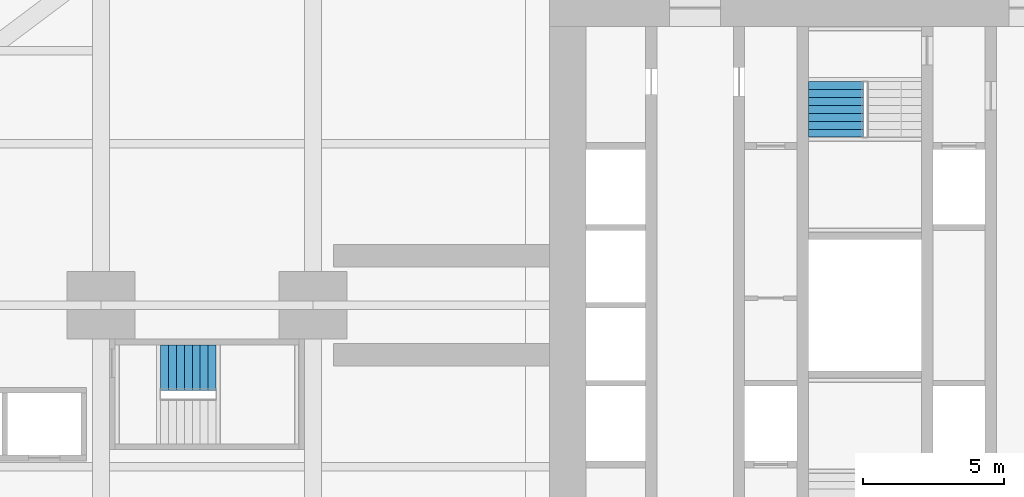
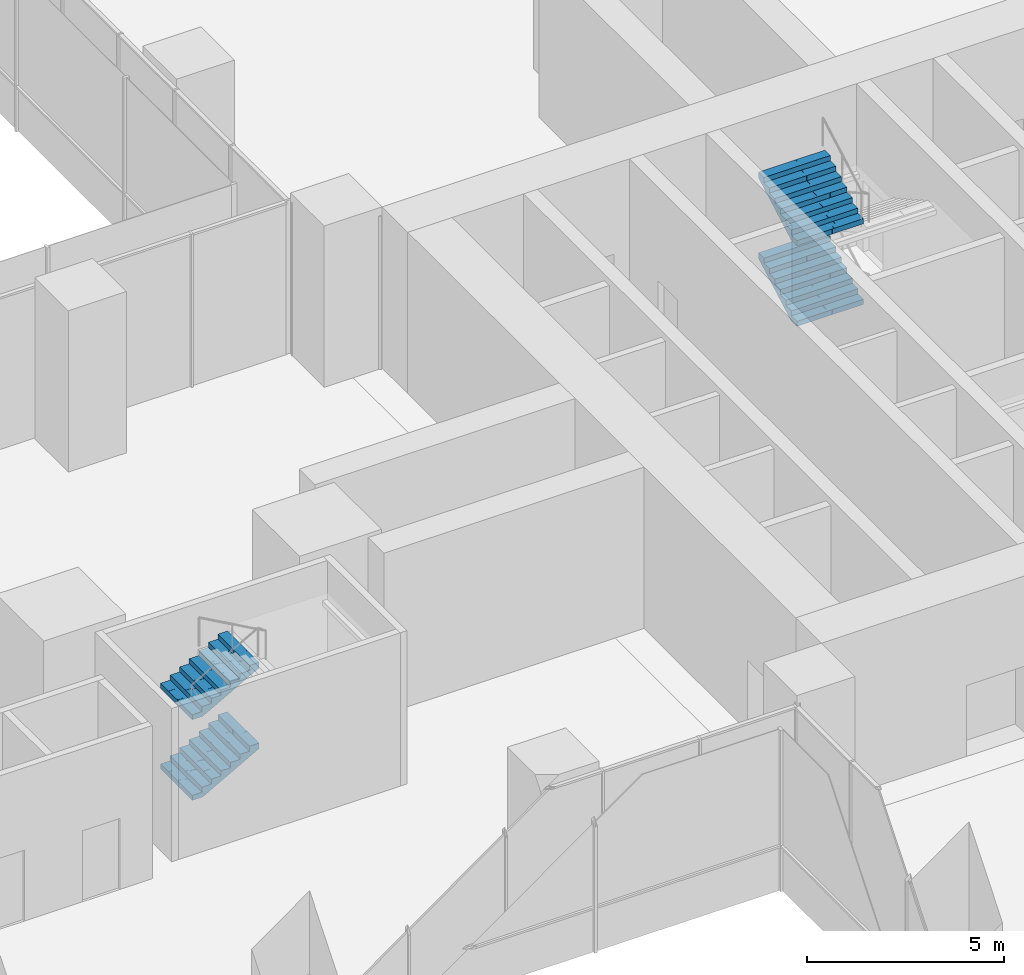
# One storey, part 20 of 23: 4 stair flights, 2 elements without a shape of their own.
"""IFC4 building model written with IfcOpenShell, lengths in metres."""

from ifc_helpers import new_model, si_unit, direction, frame, origin, place, context, subcontext, project, spatial, polyline, outline, extrude, material, type_object, element, aggregate, save


model = new_model("IFC4")

# Units and contexts
model_context = context("Model", 3, precision=1e-05, world=origin(), true_north=direction((0.0, 1.0)))
body_context = subcontext(model_context, "Body", "Model", "MODEL_VIEW")
ifc_project = project(units=[si_unit("LENGTHUNIT", "METRE"), si_unit("AREAUNIT", "SQUARE_METRE"), si_unit("VOLUMEUNIT", "CUBIC_METRE"), si_unit("PLANEANGLEUNIT", "RADIAN"), si_unit("MASSUNIT", "GRAM", prefix="KILO")], contexts=[model_context])

# Site, building, storey
site_placement = place(None, origin())
site = spatial("IfcSite", under=ifc_project, at=site_placement, CompositionType="ELEMENT")
building_placement = place(site_placement, origin())
building = spatial("IfcBuilding", under=site, at=building_placement, Name="Mizan Broadcast Tower", CompositionType="ELEMENT")
storey_placement = place(building_placement, frame((0.0, 0.0, 23.0)))
storey = spatial("IfcBuildingStorey", under=building, at=storey_placement, Name="L03", CompositionType="ELEMENT", Elevation=23.0)

# Stair, stair flights
ifc_material_1 = material(Name="Concrete C40/50", Category="concrete")
stair_type = type_object("IfcStairType", Name="EXIT STAIR", PredefinedType="HALF_TURN_STAIR", material=ifc_material_1)
stair_1_placement = place(storey_placement, origin())
stair_1 = element("IfcStair", 1, at=stair_1_placement, inside=storey, type_object=stair_type, Name="Stair B L03", PredefinedType="HALF_TURN_STAIR")
ifc_material_2 = material(Name="Concrete C40/50", Category="concrete")
stair_flight_type = type_object("IfcStairFlightType", Name="EXIT STAIR FLIGHT", PredefinedType="STRAIGHT", material=ifc_material_2)
stair_flight_1_placement = place(storey_placement, frame((-1.02490234375, 5.93994140625, 1.25), z_axis=(0.0, 0.0, 1.0), x_axis=(0.0, 1.0, 0.0)))
stair_flight_1 = element("IfcStairFlight", 2, at=stair_flight_1_placement, type_object=stair_flight_type, Name="B flight 2", NumberOfRisers=8, NumberOfTreads=7, PredefinedType="STRAIGHT", RiserHeight=0.15625, TreadLength=0.28, context=body_context, shape_type="SweptSolid", body=[
    extrude(outline(polyline([(0.0, 0.0), (0.0, 0.15625), (0.280029296875, 0.15625), (0.280029296875, 0.3125), (0.56005859375, 0.3125), (0.56005859375, 0.46875), (0.840087890625, 0.46875), (0.840087890625, 0.625), (1.1201171875, 0.625), (1.1201171875, 0.78125), (1.39990234375, 0.78125), (1.39990234375, 0.9375), (1.679931640625, 0.9375), (1.679931640625, 1.09375), (1.9599609375, 1.09375), (1.9599609375, 1.25), (1.9599609375, 0.922119140625), (0.3076171875, 0.0), (0.0, 0.0)])), frame((0.0, 0.97509765625, 0.0), z_axis=(0.0, -1.0, 0.0), x_axis=(1.0, 0.0, 0.0)), (0.0, 0.0, 1.0), 0.4873046875),
    extrude(outline(polyline([(0.0, 0.0), (0.0, 0.15625), (0.280029296875, 0.15625), (0.280029296875, 0.3125), (0.56005859375, 0.3125), (0.56005859375, 0.46875), (0.840087890625, 0.46875), (0.840087890625, 0.625), (1.1201171875, 0.625), (1.1201171875, 0.78125), (1.39990234375, 0.78125), (1.39990234375, 0.9375), (1.679931640625, 0.9375), (1.679931640625, 1.09375), (1.9599609375, 1.09375), (1.9599609375, 1.25), (1.9599609375, 0.922119140625), (0.3076171875, 0.0), (0.0, 0.0)])), frame((0.0, 0.4873046875, 0.0), z_axis=(0.0, -1.0, 0.0), x_axis=(1.0, 0.0, 0.0)), (0.0, 0.0, 1.0), 0.2431640625),
    extrude(outline(polyline([(0.0, 0.0), (0.0, 0.15625), (0.280029296875, 0.15625), (0.280029296875, 0.3125), (0.56005859375, 0.3125), (0.56005859375, 0.46875), (0.840087890625, 0.46875), (0.840087890625, 0.625), (1.1201171875, 0.625), (1.1201171875, 0.78125), (1.39990234375, 0.78125), (1.39990234375, 0.9375), (1.679931640625, 0.9375), (1.679931640625, 1.09375), (1.9599609375, 1.09375), (1.9599609375, 1.25), (1.9599609375, 0.922119140625), (0.3076171875, 0.0), (0.0, 0.0)])), frame((0.0, 0.24365234375, 0.0), z_axis=(0.0, -1.0, 0.0), x_axis=(1.0, 0.0, 0.0)), (0.0, 0.0, 1.0), 0.121337890625),
    extrude(outline(polyline([(0.0, 0.0), (0.0, 0.15625), (0.280029296875, 0.15625), (0.280029296875, 0.3125), (0.56005859375, 0.3125), (0.56005859375, 0.46875), (0.840087890625, 0.46875), (0.840087890625, 0.625), (1.1201171875, 0.625), (1.1201171875, 0.78125), (1.39990234375, 0.78125), (1.39990234375, 0.9375), (1.679931640625, 0.9375), (1.679931640625, 1.09375), (1.9599609375, 1.09375), (1.9599609375, 1.25), (1.9599609375, 0.922119140625), (0.3076171875, 0.0), (0.0, 0.0)])), frame((0.0, 0.121826171875, 0.0), z_axis=(0.0, -1.0, 0.0), x_axis=(1.0, 0.0, 0.0)), (0.0, 0.0, 1.0), 0.060546875),
    extrude(outline(polyline([(0.0, 0.0), (0.0, 0.15625), (0.280029296875, 0.15625), (0.280029296875, 0.3125), (0.56005859375, 0.3125), (0.56005859375, 0.46875), (0.840087890625, 0.46875), (0.840087890625, 0.625), (1.1201171875, 0.625), (1.1201171875, 0.78125), (1.39990234375, 0.78125), (1.39990234375, 0.9375), (1.679931640625, 0.9375), (1.679931640625, 1.09375), (1.9599609375, 1.09375), (1.9599609375, 1.25), (1.9599609375, 0.922119140625), (0.3076171875, 0.0), (0.0, 0.0)])), frame((0.0, 0.060791015625, 0.0), z_axis=(0.0, -1.0, 0.0), x_axis=(1.0, 0.0, 0.0)), (0.0, 0.0, 1.0), 0.030029296875),
    extrude(outline(polyline([(0.0, 0.0), (0.0, 0.15625), (0.280029296875, 0.15625), (0.280029296875, 0.3125), (0.56005859375, 0.3125), (0.56005859375, 0.46875), (0.840087890625, 0.46875), (0.840087890625, 0.625), (1.1201171875, 0.625), (1.1201171875, 0.78125), (1.39990234375, 0.78125), (1.39990234375, 0.9375), (1.679931640625, 0.9375), (1.679931640625, 1.09375), (1.9599609375, 1.09375), (1.9599609375, 1.25), (1.9599609375, 0.922119140625), (0.3076171875, 0.0), (0.0, 0.0)])), frame((0.0, 0.0302734375, 0.0), z_axis=(0.0, -1.0, 0.0), x_axis=(1.0, 0.0, 0.0)), (0.0, 0.0, 1.0), 0.060302734375),
    extrude(outline(polyline([(0.0, 0.0), (0.0, 0.15625), (0.280029296875, 0.15625), (0.280029296875, 0.3125), (0.56005859375, 0.3125), (0.56005859375, 0.46875), (0.840087890625, 0.46875), (0.840087890625, 0.625), (1.1201171875, 0.625), (1.1201171875, 0.78125), (1.39990234375, 0.78125), (1.39990234375, 0.9375), (1.679931640625, 0.9375), (1.679931640625, 1.09375), (1.9599609375, 1.09375), (1.9599609375, 1.25), (1.9599609375, 0.922119140625), (0.3076171875, 0.0), (0.0, 0.0)])), frame((0.0, -0.030517578125, 0.0), z_axis=(0.0, -1.0, 0.0), x_axis=(1.0, 0.0, 0.0)), (0.0, 0.0, 1.0), 0.030029296875),
    extrude(outline(polyline([(0.0, 0.0), (0.0, 0.15625), (0.280029296875, 0.15625), (0.280029296875, 0.3125), (0.56005859375, 0.3125), (0.56005859375, 0.46875), (0.840087890625, 0.46875), (0.840087890625, 0.625), (1.1201171875, 0.625), (1.1201171875, 0.78125), (1.39990234375, 0.78125), (1.39990234375, 0.9375), (1.679931640625, 0.9375), (1.679931640625, 1.09375), (1.9599609375, 1.09375), (1.9599609375, 1.25), (1.9599609375, 0.922119140625), (0.3076171875, 0.0), (0.0, 0.0)])), frame((0.0, -0.06103515625, 0.0), z_axis=(0.0, -1.0, 0.0), x_axis=(1.0, 0.0, 0.0)), (0.0, 0.0, 1.0), 0.060546875),
    extrude(outline(polyline([(0.0, 0.0), (0.0, 0.15625), (0.280029296875, 0.15625), (0.280029296875, 0.3125), (0.56005859375, 0.3125), (0.56005859375, 0.46875), (0.840087890625, 0.46875), (0.840087890625, 0.625), (1.1201171875, 0.625), (1.1201171875, 0.78125), (1.39990234375, 0.78125), (1.39990234375, 0.9375), (1.679931640625, 0.9375), (1.679931640625, 1.09375), (1.9599609375, 1.09375), (1.9599609375, 1.25), (1.9599609375, 0.922119140625), (0.3076171875, 0.0), (0.0, 0.0)])), frame((0.0, -0.1220703125, 0.0), z_axis=(0.0, -1.0, 0.0), x_axis=(1.0, 0.0, 0.0)), (0.0, 0.0, 1.0), 0.121337890625),
    extrude(outline(polyline([(0.0, 0.0), (0.0, 0.15625), (0.280029296875, 0.15625), (0.280029296875, 0.3125), (0.56005859375, 0.3125), (0.56005859375, 0.46875), (0.840087890625, 0.46875), (0.840087890625, 0.625), (1.1201171875, 0.625), (1.1201171875, 0.78125), (1.39990234375, 0.78125), (1.39990234375, 0.9375), (1.679931640625, 0.9375), (1.679931640625, 1.09375), (1.9599609375, 1.09375), (1.9599609375, 1.25), (1.9599609375, 0.922119140625), (0.3076171875, 0.0), (0.0, 0.0)])), frame((0.0, -0.243896484375, 0.0), z_axis=(0.0, -1.0, 0.0), x_axis=(1.0, 0.0, 0.0)), (0.0, 0.0, 1.0), 0.2431640625),
    extrude(outline(polyline([(0.0, 0.0), (0.0, 0.15625), (0.280029296875, 0.15625), (0.280029296875, 0.3125), (0.56005859375, 0.3125), (0.56005859375, 0.46875), (0.840087890625, 0.46875), (0.840087890625, 0.625), (1.1201171875, 0.625), (1.1201171875, 0.78125), (1.39990234375, 0.78125), (1.39990234375, 0.9375), (1.679931640625, 0.9375), (1.679931640625, 1.09375), (1.9599609375, 1.09375), (1.9599609375, 1.25), (1.9599609375, 0.922119140625), (0.3076171875, 0.0), (0.0, 0.0)])), frame((0.0, -0.487548828125, 0.0), z_axis=(0.0, -1.0, 0.0), x_axis=(1.0, 0.0, 0.0)), (0.0, 0.0, 1.0), 0.4873046875),
])
stair_flight_2_placement = place(storey_placement, frame((-1.02490234375, 5.93994140625, 3.75), z_axis=(0.0, 0.0, 1.0), x_axis=(0.0, 1.0, 0.0)))
stair_flight_2 = element("IfcStairFlight", 3, at=stair_flight_2_placement, type_object=stair_flight_type, Name="B flight 4", NumberOfRisers=8, NumberOfTreads=7, PredefinedType="STRAIGHT", RiserHeight=0.15625, TreadLength=0.28, context=body_context, shape_type="SweptSolid", body=[
    extrude(outline(polyline([(0.0, 0.0), (0.0, 0.15625), (0.280029296875, 0.15625), (0.280029296875, 0.3125), (0.56005859375, 0.3125), (0.56005859375, 0.46875), (0.840087890625, 0.46875), (0.840087890625, 0.625), (1.1201171875, 0.625), (1.1201171875, 0.78125), (1.39990234375, 0.78125), (1.39990234375, 0.9375), (1.679931640625, 0.9375), (1.679931640625, 1.09375), (1.9599609375, 1.09375), (1.9599609375, 1.25), (1.9599609375, 0.922119140625), (0.3076171875, 0.0), (0.0, 0.0)])), frame((0.0, 0.97509765625, 0.0), z_axis=(0.0, -1.0, 0.0), x_axis=(1.0, 0.0, 0.0)), (0.0, 0.0, 1.0), 0.4873046875),
    extrude(outline(polyline([(0.0, 0.0), (0.0, 0.15625), (0.280029296875, 0.15625), (0.280029296875, 0.3125), (0.56005859375, 0.3125), (0.56005859375, 0.46875), (0.840087890625, 0.46875), (0.840087890625, 0.625), (1.1201171875, 0.625), (1.1201171875, 0.78125), (1.39990234375, 0.78125), (1.39990234375, 0.9375), (1.679931640625, 0.9375), (1.679931640625, 1.09375), (1.9599609375, 1.09375), (1.9599609375, 1.25), (1.9599609375, 0.922119140625), (0.3076171875, 0.0), (0.0, 0.0)])), frame((0.0, 0.4873046875, 0.0), z_axis=(0.0, -1.0, 0.0), x_axis=(1.0, 0.0, 0.0)), (0.0, 0.0, 1.0), 0.2431640625),
    extrude(outline(polyline([(0.0, 0.0), (0.0, 0.15625), (0.280029296875, 0.15625), (0.280029296875, 0.3125), (0.56005859375, 0.3125), (0.56005859375, 0.46875), (0.840087890625, 0.46875), (0.840087890625, 0.625), (1.1201171875, 0.625), (1.1201171875, 0.78125), (1.39990234375, 0.78125), (1.39990234375, 0.9375), (1.679931640625, 0.9375), (1.679931640625, 1.09375), (1.9599609375, 1.09375), (1.9599609375, 1.25), (1.9599609375, 0.922119140625), (0.3076171875, 0.0), (0.0, 0.0)])), frame((0.0, 0.24365234375, 0.0), z_axis=(0.0, -1.0, 0.0), x_axis=(1.0, 0.0, 0.0)), (0.0, 0.0, 1.0), 0.121337890625),
    extrude(outline(polyline([(0.0, 0.0), (0.0, 0.15625), (0.280029296875, 0.15625), (0.280029296875, 0.3125), (0.56005859375, 0.3125), (0.56005859375, 0.46875), (0.840087890625, 0.46875), (0.840087890625, 0.625), (1.1201171875, 0.625), (1.1201171875, 0.78125), (1.39990234375, 0.78125), (1.39990234375, 0.9375), (1.679931640625, 0.9375), (1.679931640625, 1.09375), (1.9599609375, 1.09375), (1.9599609375, 1.25), (1.9599609375, 0.922119140625), (0.3076171875, 0.0), (0.0, 0.0)])), frame((0.0, 0.121826171875, 0.0), z_axis=(0.0, -1.0, 0.0), x_axis=(1.0, 0.0, 0.0)), (0.0, 0.0, 1.0), 0.060546875),
    extrude(outline(polyline([(0.0, 0.0), (0.0, 0.15625), (0.280029296875, 0.15625), (0.280029296875, 0.3125), (0.56005859375, 0.3125), (0.56005859375, 0.46875), (0.840087890625, 0.46875), (0.840087890625, 0.625), (1.1201171875, 0.625), (1.1201171875, 0.78125), (1.39990234375, 0.78125), (1.39990234375, 0.9375), (1.679931640625, 0.9375), (1.679931640625, 1.09375), (1.9599609375, 1.09375), (1.9599609375, 1.25), (1.9599609375, 0.922119140625), (0.3076171875, 0.0), (0.0, 0.0)])), frame((0.0, 0.060791015625, 0.0), z_axis=(0.0, -1.0, 0.0), x_axis=(1.0, 0.0, 0.0)), (0.0, 0.0, 1.0), 0.030029296875),
    extrude(outline(polyline([(0.0, 0.0), (0.0, 0.15625), (0.280029296875, 0.15625), (0.280029296875, 0.3125), (0.56005859375, 0.3125), (0.56005859375, 0.46875), (0.840087890625, 0.46875), (0.840087890625, 0.625), (1.1201171875, 0.625), (1.1201171875, 0.78125), (1.39990234375, 0.78125), (1.39990234375, 0.9375), (1.679931640625, 0.9375), (1.679931640625, 1.09375), (1.9599609375, 1.09375), (1.9599609375, 1.25), (1.9599609375, 0.922119140625), (0.3076171875, 0.0), (0.0, 0.0)])), frame((0.0, 0.0302734375, 0.0), z_axis=(0.0, -1.0, 0.0), x_axis=(1.0, 0.0, 0.0)), (0.0, 0.0, 1.0), 0.060302734375),
    extrude(outline(polyline([(0.0, 0.0), (0.0, 0.15625), (0.280029296875, 0.15625), (0.280029296875, 0.3125), (0.56005859375, 0.3125), (0.56005859375, 0.46875), (0.840087890625, 0.46875), (0.840087890625, 0.625), (1.1201171875, 0.625), (1.1201171875, 0.78125), (1.39990234375, 0.78125), (1.39990234375, 0.9375), (1.679931640625, 0.9375), (1.679931640625, 1.09375), (1.9599609375, 1.09375), (1.9599609375, 1.25), (1.9599609375, 0.922119140625), (0.3076171875, 0.0), (0.0, 0.0)])), frame((0.0, -0.030517578125, 0.0), z_axis=(0.0, -1.0, 0.0), x_axis=(1.0, 0.0, 0.0)), (0.0, 0.0, 1.0), 0.030029296875),
    extrude(outline(polyline([(0.0, 0.0), (0.0, 0.15625), (0.280029296875, 0.15625), (0.280029296875, 0.3125), (0.56005859375, 0.3125), (0.56005859375, 0.46875), (0.840087890625, 0.46875), (0.840087890625, 0.625), (1.1201171875, 0.625), (1.1201171875, 0.78125), (1.39990234375, 0.78125), (1.39990234375, 0.9375), (1.679931640625, 0.9375), (1.679931640625, 1.09375), (1.9599609375, 1.09375), (1.9599609375, 1.25), (1.9599609375, 0.922119140625), (0.3076171875, 0.0), (0.0, 0.0)])), frame((0.0, -0.06103515625, 0.0), z_axis=(0.0, -1.0, 0.0), x_axis=(1.0, 0.0, 0.0)), (0.0, 0.0, 1.0), 0.060546875),
    extrude(outline(polyline([(0.0, 0.0), (0.0, 0.15625), (0.280029296875, 0.15625), (0.280029296875, 0.3125), (0.56005859375, 0.3125), (0.56005859375, 0.46875), (0.840087890625, 0.46875), (0.840087890625, 0.625), (1.1201171875, 0.625), (1.1201171875, 0.78125), (1.39990234375, 0.78125), (1.39990234375, 0.9375), (1.679931640625, 0.9375), (1.679931640625, 1.09375), (1.9599609375, 1.09375), (1.9599609375, 1.25), (1.9599609375, 0.922119140625), (0.3076171875, 0.0), (0.0, 0.0)])), frame((0.0, -0.1220703125, 0.0), z_axis=(0.0, -1.0, 0.0), x_axis=(1.0, 0.0, 0.0)), (0.0, 0.0, 1.0), 0.121337890625),
    extrude(outline(polyline([(0.0, 0.0), (0.0, 0.15625), (0.280029296875, 0.15625), (0.280029296875, 0.3125), (0.56005859375, 0.3125), (0.56005859375, 0.46875), (0.840087890625, 0.46875), (0.840087890625, 0.625), (1.1201171875, 0.625), (1.1201171875, 0.78125), (1.39990234375, 0.78125), (1.39990234375, 0.9375), (1.679931640625, 0.9375), (1.679931640625, 1.09375), (1.9599609375, 1.09375), (1.9599609375, 1.25), (1.9599609375, 0.922119140625), (0.3076171875, 0.0), (0.0, 0.0)])), frame((0.0, -0.243896484375, 0.0), z_axis=(0.0, -1.0, 0.0), x_axis=(1.0, 0.0, 0.0)), (0.0, 0.0, 1.0), 0.2431640625),
    extrude(outline(polyline([(0.0, 0.0), (0.0, 0.15625), (0.280029296875, 0.15625), (0.280029296875, 0.3125), (0.56005859375, 0.3125), (0.56005859375, 0.46875), (0.840087890625, 0.46875), (0.840087890625, 0.625), (1.1201171875, 0.625), (1.1201171875, 0.78125), (1.39990234375, 0.78125), (1.39990234375, 0.9375), (1.679931640625, 0.9375), (1.679931640625, 1.09375), (1.9599609375, 1.09375), (1.9599609375, 1.25), (1.9599609375, 0.922119140625), (0.3076171875, 0.0), (0.0, 0.0)])), frame((0.0, -0.487548828125, 0.0), z_axis=(0.0, -1.0, 0.0), x_axis=(1.0, 0.0, 0.0)), (0.0, 0.0, 1.0), 0.4873046875),
])
aggregate(stair_1, [stair_flight_1, stair_flight_2])

stair_2_placement = place(storey_placement, origin())
stair_2 = element("IfcStair", 4, at=stair_2_placement, inside=storey, type_object=stair_type, Name="Stair D L03", PredefinedType="HALF_TURN_STAIR")
stair_flight_3_placement = place(storey_placement, frame((-24.889892578125, -2.205078125, 0.0), z_axis=(0.0, 0.0, 1.0), x_axis=(1.0, 0.0, 0.0)))
stair_flight_3 = element("IfcStairFlight", 5, at=stair_flight_3_placement, type_object=stair_flight_type, Name="D flight 1", NumberOfRisers=8, NumberOfTreads=7, PredefinedType="STRAIGHT", RiserHeight=0.15625, TreadLength=0.28, context=body_context, shape_type="SweptSolid", body=[
    extrude(outline(polyline([(0.0, 0.0), (0.0, 0.15625), (0.280029296875, 0.15625), (0.280029296875, 0.3125), (0.56005859375, 0.3125), (0.56005859375, 0.46875), (0.840087890625, 0.46875), (0.840087890625, 0.625), (1.1201171875, 0.625), (1.1201171875, 0.78125), (1.39990234375, 0.78125), (1.39990234375, 0.9375), (1.679931640625, 0.9375), (1.679931640625, 1.09375), (1.9599609375, 1.09375), (1.9599609375, 1.25), (1.9599609375, 0.922119140625), (0.3076171875, 0.0), (0.0, 0.0)])), frame((0.0, 0.80517578125, 0.0), z_axis=(0.0, -1.0, 0.0), x_axis=(1.0, 0.0, 0.0)), (0.0, 0.0, 1.0), 0.40234375),
    extrude(outline(polyline([(0.0, 0.0), (0.0, 0.15625), (0.280029296875, 0.15625), (0.280029296875, 0.3125), (0.56005859375, 0.3125), (0.56005859375, 0.46875), (0.840087890625, 0.46875), (0.840087890625, 0.625), (1.1201171875, 0.625), (1.1201171875, 0.78125), (1.39990234375, 0.78125), (1.39990234375, 0.9375), (1.679931640625, 0.9375), (1.679931640625, 1.09375), (1.9599609375, 1.09375), (1.9599609375, 1.25), (1.9599609375, 0.922119140625), (0.3076171875, 0.0), (0.0, 0.0)])), frame((0.0, 0.40234375, 0.0), z_axis=(0.0, -1.0, 0.0), x_axis=(1.0, 0.0, 0.0)), (0.0, 0.0, 1.0), 0.20068359375),
    extrude(outline(polyline([(0.0, 0.0), (0.0, 0.15625), (0.280029296875, 0.15625), (0.280029296875, 0.3125), (0.56005859375, 0.3125), (0.56005859375, 0.46875), (0.840087890625, 0.46875), (0.840087890625, 0.625), (1.1201171875, 0.625), (1.1201171875, 0.78125), (1.39990234375, 0.78125), (1.39990234375, 0.9375), (1.679931640625, 0.9375), (1.679931640625, 1.09375), (1.9599609375, 1.09375), (1.9599609375, 1.25), (1.9599609375, 0.922119140625), (0.3076171875, 0.0), (0.0, 0.0)])), frame((0.0, 0.201171875, 0.0), z_axis=(0.0, -1.0, 0.0), x_axis=(1.0, 0.0, 0.0)), (0.0, 0.0, 1.0), 0.10009765625),
    extrude(outline(polyline([(0.0, 0.0), (0.0, 0.15625), (0.280029296875, 0.15625), (0.280029296875, 0.3125), (0.56005859375, 0.3125), (0.56005859375, 0.46875), (0.840087890625, 0.46875), (0.840087890625, 0.625), (1.1201171875, 0.625), (1.1201171875, 0.78125), (1.39990234375, 0.78125), (1.39990234375, 0.9375), (1.679931640625, 0.9375), (1.679931640625, 1.09375), (1.9599609375, 1.09375), (1.9599609375, 1.25), (1.9599609375, 0.922119140625), (0.3076171875, 0.0), (0.0, 0.0)])), frame((0.0, 0.1005859375, 0.0), z_axis=(0.0, -1.0, 0.0), x_axis=(1.0, 0.0, 0.0)), (0.0, 0.0, 1.0), 0.0498046875),
    extrude(outline(polyline([(0.0, 0.0), (0.0, 0.15625), (0.280029296875, 0.15625), (0.280029296875, 0.3125), (0.56005859375, 0.3125), (0.56005859375, 0.46875), (0.840087890625, 0.46875), (0.840087890625, 0.625), (1.1201171875, 0.625), (1.1201171875, 0.78125), (1.39990234375, 0.78125), (1.39990234375, 0.9375), (1.679931640625, 0.9375), (1.679931640625, 1.09375), (1.9599609375, 1.09375), (1.9599609375, 1.25), (1.9599609375, 0.922119140625), (0.3076171875, 0.0), (0.0, 0.0)])), frame((0.0, 0.05029296875, 0.0), z_axis=(0.0, -1.0, 0.0), x_axis=(1.0, 0.0, 0.0)), (0.0, 0.0, 1.0), 0.024658203125),
    extrude(outline(polyline([(0.0, 0.0), (0.0, 0.15625), (0.280029296875, 0.15625), (0.280029296875, 0.3125), (0.56005859375, 0.3125), (0.56005859375, 0.46875), (0.840087890625, 0.46875), (0.840087890625, 0.625), (1.1201171875, 0.625), (1.1201171875, 0.78125), (1.39990234375, 0.78125), (1.39990234375, 0.9375), (1.679931640625, 0.9375), (1.679931640625, 1.09375), (1.9599609375, 1.09375), (1.9599609375, 1.25), (1.9599609375, 0.922119140625), (0.3076171875, 0.0), (0.0, 0.0)])), frame((0.0, 0.025146484375, 0.0), z_axis=(0.0, -1.0, 0.0), x_axis=(1.0, 0.0, 0.0)), (0.0, 0.0, 1.0), 0.050048828125),
    extrude(outline(polyline([(0.0, 0.0), (0.0, 0.15625), (0.280029296875, 0.15625), (0.280029296875, 0.3125), (0.56005859375, 0.3125), (0.56005859375, 0.46875), (0.840087890625, 0.46875), (0.840087890625, 0.625), (1.1201171875, 0.625), (1.1201171875, 0.78125), (1.39990234375, 0.78125), (1.39990234375, 0.9375), (1.679931640625, 0.9375), (1.679931640625, 1.09375), (1.9599609375, 1.09375), (1.9599609375, 1.25), (1.9599609375, 0.922119140625), (0.3076171875, 0.0), (0.0, 0.0)])), frame((0.0, -0.025390625, 0.0), z_axis=(0.0, -1.0, 0.0), x_axis=(1.0, 0.0, 0.0)), (0.0, 0.0, 1.0), 0.024658203125),
    extrude(outline(polyline([(0.0, 0.0), (0.0, 0.15625), (0.280029296875, 0.15625), (0.280029296875, 0.3125), (0.56005859375, 0.3125), (0.56005859375, 0.46875), (0.840087890625, 0.46875), (0.840087890625, 0.625), (1.1201171875, 0.625), (1.1201171875, 0.78125), (1.39990234375, 0.78125), (1.39990234375, 0.9375), (1.679931640625, 0.9375), (1.679931640625, 1.09375), (1.9599609375, 1.09375), (1.9599609375, 1.25), (1.9599609375, 0.922119140625), (0.3076171875, 0.0), (0.0, 0.0)])), frame((0.0, -0.050537109375, 0.0), z_axis=(0.0, -1.0, 0.0), x_axis=(1.0, 0.0, 0.0)), (0.0, 0.0, 1.0), 0.0498046875),
    extrude(outline(polyline([(0.0, 0.0), (0.0, 0.15625), (0.280029296875, 0.15625), (0.280029296875, 0.3125), (0.56005859375, 0.3125), (0.56005859375, 0.46875), (0.840087890625, 0.46875), (0.840087890625, 0.625), (1.1201171875, 0.625), (1.1201171875, 0.78125), (1.39990234375, 0.78125), (1.39990234375, 0.9375), (1.679931640625, 0.9375), (1.679931640625, 1.09375), (1.9599609375, 1.09375), (1.9599609375, 1.25), (1.9599609375, 0.922119140625), (0.3076171875, 0.0), (0.0, 0.0)])), frame((0.0, -0.100830078125, 0.0), z_axis=(0.0, -1.0, 0.0), x_axis=(1.0, 0.0, 0.0)), (0.0, 0.0, 1.0), 0.10009765625),
    extrude(outline(polyline([(0.0, 0.0), (0.0, 0.15625), (0.280029296875, 0.15625), (0.280029296875, 0.3125), (0.56005859375, 0.3125), (0.56005859375, 0.46875), (0.840087890625, 0.46875), (0.840087890625, 0.625), (1.1201171875, 0.625), (1.1201171875, 0.78125), (1.39990234375, 0.78125), (1.39990234375, 0.9375), (1.679931640625, 0.9375), (1.679931640625, 1.09375), (1.9599609375, 1.09375), (1.9599609375, 1.25), (1.9599609375, 0.922119140625), (0.3076171875, 0.0), (0.0, 0.0)])), frame((0.0, -0.201416015625, 0.0), z_axis=(0.0, -1.0, 0.0), x_axis=(1.0, 0.0, 0.0)), (0.0, 0.0, 1.0), 0.20068359375),
    extrude(outline(polyline([(0.0, 0.0), (0.0, 0.15625), (0.280029296875, 0.15625), (0.280029296875, 0.3125), (0.56005859375, 0.3125), (0.56005859375, 0.46875), (0.840087890625, 0.46875), (0.840087890625, 0.625), (1.1201171875, 0.625), (1.1201171875, 0.78125), (1.39990234375, 0.78125), (1.39990234375, 0.9375), (1.679931640625, 0.9375), (1.679931640625, 1.09375), (1.9599609375, 1.09375), (1.9599609375, 1.25), (1.9599609375, 0.922119140625), (0.3076171875, 0.0), (0.0, 0.0)])), frame((0.0, -0.402587890625, 0.0), z_axis=(0.0, -1.0, 0.0), x_axis=(1.0, 0.0, 0.0)), (0.0, 0.0, 1.0), 0.40234375),
])
stair_flight_4_placement = place(storey_placement, frame((-24.889892578125, -2.205078125, 2.5), z_axis=(0.0, 0.0, 1.0), x_axis=(1.0, 0.0, 0.0)))
stair_flight_4 = element("IfcStairFlight", 6, at=stair_flight_4_placement, type_object=stair_flight_type, Name="D flight 3", NumberOfRisers=8, NumberOfTreads=7, PredefinedType="STRAIGHT", RiserHeight=0.15625, TreadLength=0.28, context=body_context, shape_type="SweptSolid", body=[
    extrude(outline(polyline([(0.0, 0.0), (0.0, 0.15625), (0.280029296875, 0.15625), (0.280029296875, 0.3125), (0.56005859375, 0.3125), (0.56005859375, 0.46875), (0.840087890625, 0.46875), (0.840087890625, 0.625), (1.1201171875, 0.625), (1.1201171875, 0.78125), (1.39990234375, 0.78125), (1.39990234375, 0.9375), (1.679931640625, 0.9375), (1.679931640625, 1.09375), (1.9599609375, 1.09375), (1.9599609375, 1.25), (1.9599609375, 0.922119140625), (0.3076171875, 0.0), (0.0, 0.0)])), frame((0.0, 0.80517578125, 0.0), z_axis=(0.0, -1.0, 0.0), x_axis=(1.0, 0.0, 0.0)), (0.0, 0.0, 1.0), 0.40234375),
    extrude(outline(polyline([(0.0, 0.0), (0.0, 0.15625), (0.280029296875, 0.15625), (0.280029296875, 0.3125), (0.56005859375, 0.3125), (0.56005859375, 0.46875), (0.840087890625, 0.46875), (0.840087890625, 0.625), (1.1201171875, 0.625), (1.1201171875, 0.78125), (1.39990234375, 0.78125), (1.39990234375, 0.9375), (1.679931640625, 0.9375), (1.679931640625, 1.09375), (1.9599609375, 1.09375), (1.9599609375, 1.25), (1.9599609375, 0.922119140625), (0.3076171875, 0.0), (0.0, 0.0)])), frame((0.0, 0.40234375, 0.0), z_axis=(0.0, -1.0, 0.0), x_axis=(1.0, 0.0, 0.0)), (0.0, 0.0, 1.0), 0.20068359375),
    extrude(outline(polyline([(0.0, 0.0), (0.0, 0.15625), (0.280029296875, 0.15625), (0.280029296875, 0.3125), (0.56005859375, 0.3125), (0.56005859375, 0.46875), (0.840087890625, 0.46875), (0.840087890625, 0.625), (1.1201171875, 0.625), (1.1201171875, 0.78125), (1.39990234375, 0.78125), (1.39990234375, 0.9375), (1.679931640625, 0.9375), (1.679931640625, 1.09375), (1.9599609375, 1.09375), (1.9599609375, 1.25), (1.9599609375, 0.922119140625), (0.3076171875, 0.0), (0.0, 0.0)])), frame((0.0, 0.201171875, 0.0), z_axis=(0.0, -1.0, 0.0), x_axis=(1.0, 0.0, 0.0)), (0.0, 0.0, 1.0), 0.10009765625),
    extrude(outline(polyline([(0.0, 0.0), (0.0, 0.15625), (0.280029296875, 0.15625), (0.280029296875, 0.3125), (0.56005859375, 0.3125), (0.56005859375, 0.46875), (0.840087890625, 0.46875), (0.840087890625, 0.625), (1.1201171875, 0.625), (1.1201171875, 0.78125), (1.39990234375, 0.78125), (1.39990234375, 0.9375), (1.679931640625, 0.9375), (1.679931640625, 1.09375), (1.9599609375, 1.09375), (1.9599609375, 1.25), (1.9599609375, 0.922119140625), (0.3076171875, 0.0), (0.0, 0.0)])), frame((0.0, 0.1005859375, 0.0), z_axis=(0.0, -1.0, 0.0), x_axis=(1.0, 0.0, 0.0)), (0.0, 0.0, 1.0), 0.0498046875),
    extrude(outline(polyline([(0.0, 0.0), (0.0, 0.15625), (0.280029296875, 0.15625), (0.280029296875, 0.3125), (0.56005859375, 0.3125), (0.56005859375, 0.46875), (0.840087890625, 0.46875), (0.840087890625, 0.625), (1.1201171875, 0.625), (1.1201171875, 0.78125), (1.39990234375, 0.78125), (1.39990234375, 0.9375), (1.679931640625, 0.9375), (1.679931640625, 1.09375), (1.9599609375, 1.09375), (1.9599609375, 1.25), (1.9599609375, 0.922119140625), (0.3076171875, 0.0), (0.0, 0.0)])), frame((0.0, 0.05029296875, 0.0), z_axis=(0.0, -1.0, 0.0), x_axis=(1.0, 0.0, 0.0)), (0.0, 0.0, 1.0), 0.024658203125),
    extrude(outline(polyline([(0.0, 0.0), (0.0, 0.15625), (0.280029296875, 0.15625), (0.280029296875, 0.3125), (0.56005859375, 0.3125), (0.56005859375, 0.46875), (0.840087890625, 0.46875), (0.840087890625, 0.625), (1.1201171875, 0.625), (1.1201171875, 0.78125), (1.39990234375, 0.78125), (1.39990234375, 0.9375), (1.679931640625, 0.9375), (1.679931640625, 1.09375), (1.9599609375, 1.09375), (1.9599609375, 1.25), (1.9599609375, 0.922119140625), (0.3076171875, 0.0), (0.0, 0.0)])), frame((0.0, 0.025146484375, 0.0), z_axis=(0.0, -1.0, 0.0), x_axis=(1.0, 0.0, 0.0)), (0.0, 0.0, 1.0), 0.050048828125),
    extrude(outline(polyline([(0.0, 0.0), (0.0, 0.15625), (0.280029296875, 0.15625), (0.280029296875, 0.3125), (0.56005859375, 0.3125), (0.56005859375, 0.46875), (0.840087890625, 0.46875), (0.840087890625, 0.625), (1.1201171875, 0.625), (1.1201171875, 0.78125), (1.39990234375, 0.78125), (1.39990234375, 0.9375), (1.679931640625, 0.9375), (1.679931640625, 1.09375), (1.9599609375, 1.09375), (1.9599609375, 1.25), (1.9599609375, 0.922119140625), (0.3076171875, 0.0), (0.0, 0.0)])), frame((0.0, -0.025390625, 0.0), z_axis=(0.0, -1.0, 0.0), x_axis=(1.0, 0.0, 0.0)), (0.0, 0.0, 1.0), 0.024658203125),
    extrude(outline(polyline([(0.0, 0.0), (0.0, 0.15625), (0.280029296875, 0.15625), (0.280029296875, 0.3125), (0.56005859375, 0.3125), (0.56005859375, 0.46875), (0.840087890625, 0.46875), (0.840087890625, 0.625), (1.1201171875, 0.625), (1.1201171875, 0.78125), (1.39990234375, 0.78125), (1.39990234375, 0.9375), (1.679931640625, 0.9375), (1.679931640625, 1.09375), (1.9599609375, 1.09375), (1.9599609375, 1.25), (1.9599609375, 0.922119140625), (0.3076171875, 0.0), (0.0, 0.0)])), frame((0.0, -0.050537109375, 0.0), z_axis=(0.0, -1.0, 0.0), x_axis=(1.0, 0.0, 0.0)), (0.0, 0.0, 1.0), 0.0498046875),
    extrude(outline(polyline([(0.0, 0.0), (0.0, 0.15625), (0.280029296875, 0.15625), (0.280029296875, 0.3125), (0.56005859375, 0.3125), (0.56005859375, 0.46875), (0.840087890625, 0.46875), (0.840087890625, 0.625), (1.1201171875, 0.625), (1.1201171875, 0.78125), (1.39990234375, 0.78125), (1.39990234375, 0.9375), (1.679931640625, 0.9375), (1.679931640625, 1.09375), (1.9599609375, 1.09375), (1.9599609375, 1.25), (1.9599609375, 0.922119140625), (0.3076171875, 0.0), (0.0, 0.0)])), frame((0.0, -0.100830078125, 0.0), z_axis=(0.0, -1.0, 0.0), x_axis=(1.0, 0.0, 0.0)), (0.0, 0.0, 1.0), 0.10009765625),
    extrude(outline(polyline([(0.0, 0.0), (0.0, 0.15625), (0.280029296875, 0.15625), (0.280029296875, 0.3125), (0.56005859375, 0.3125), (0.56005859375, 0.46875), (0.840087890625, 0.46875), (0.840087890625, 0.625), (1.1201171875, 0.625), (1.1201171875, 0.78125), (1.39990234375, 0.78125), (1.39990234375, 0.9375), (1.679931640625, 0.9375), (1.679931640625, 1.09375), (1.9599609375, 1.09375), (1.9599609375, 1.25), (1.9599609375, 0.922119140625), (0.3076171875, 0.0), (0.0, 0.0)])), frame((0.0, -0.201416015625, 0.0), z_axis=(0.0, -1.0, 0.0), x_axis=(1.0, 0.0, 0.0)), (0.0, 0.0, 1.0), 0.20068359375),
    extrude(outline(polyline([(0.0, 0.0), (0.0, 0.15625), (0.280029296875, 0.15625), (0.280029296875, 0.3125), (0.56005859375, 0.3125), (0.56005859375, 0.46875), (0.840087890625, 0.46875), (0.840087890625, 0.625), (1.1201171875, 0.625), (1.1201171875, 0.78125), (1.39990234375, 0.78125), (1.39990234375, 0.9375), (1.679931640625, 0.9375), (1.679931640625, 1.09375), (1.9599609375, 1.09375), (1.9599609375, 1.25), (1.9599609375, 0.922119140625), (0.3076171875, 0.0), (0.0, 0.0)])), frame((0.0, -0.402587890625, 0.0), z_axis=(0.0, -1.0, 0.0), x_axis=(1.0, 0.0, 0.0)), (0.0, 0.0, 1.0), 0.40234375),
])
aggregate(stair_2, [stair_flight_3, stair_flight_4])

save(model, "model.ifc")
